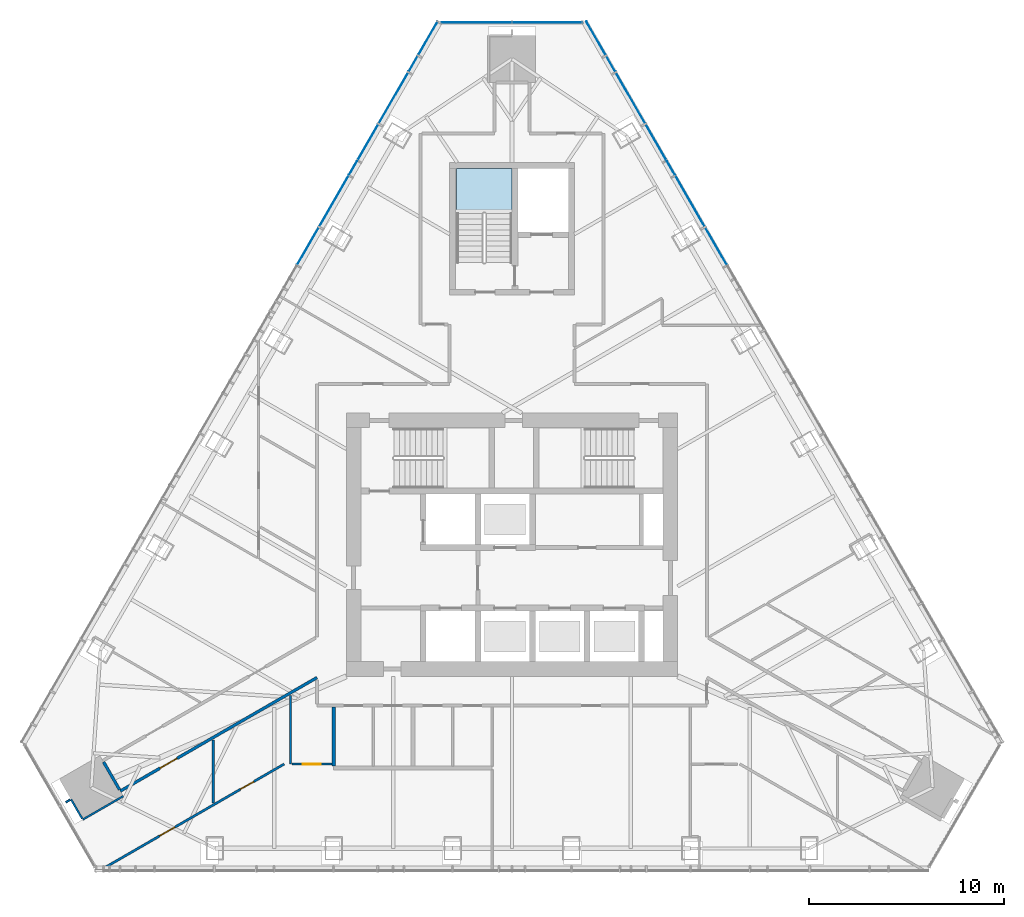
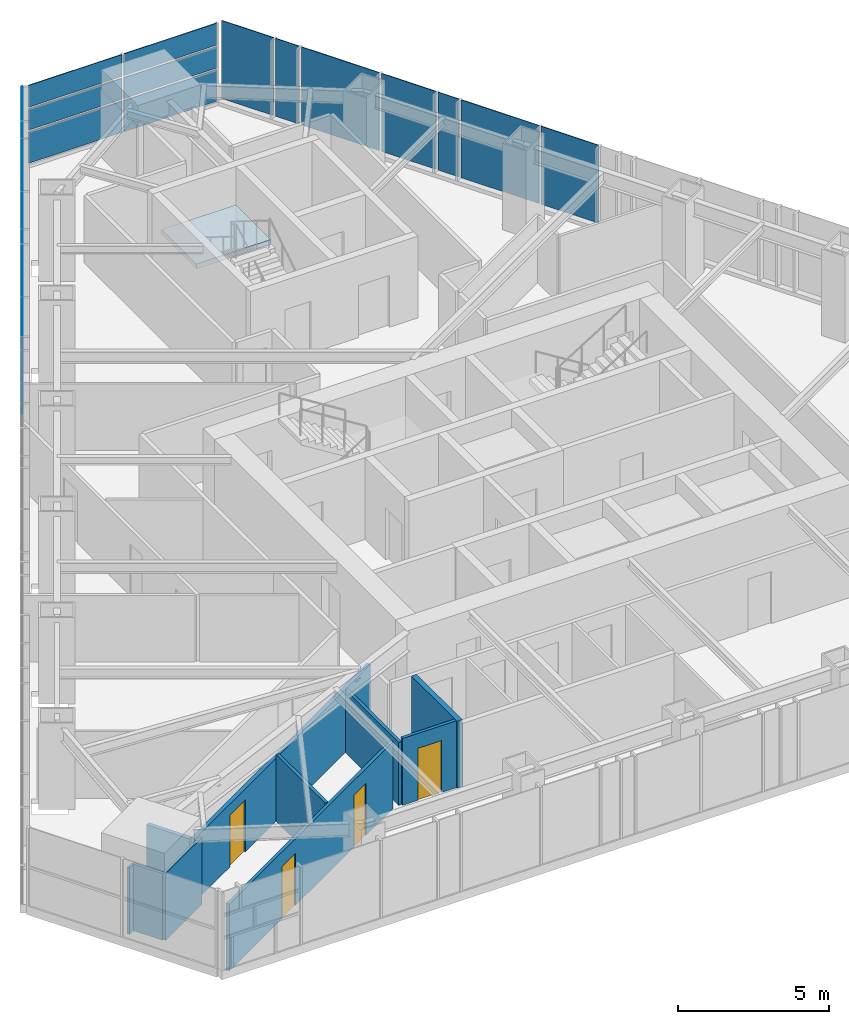
# One storey, part 13 of 18: 20 plates, 10 walls, 4 doors, 1 slab, 4 openings, 4 elements without a shape of their own.
"""IFC4 building model written with IfcOpenShell, lengths in metres."""

from ifc_helpers import new_model, si_unit, direction, frame, frame_2d, origin, place, context, subcontext, project, spatial, polyline, rectangle, outline, extrude, material, layer, layer_set, type_object, element, fill, aggregate, save


model = new_model("IFC4")

# Units and contexts
model_context = context("Model", 3, precision=1e-05, world=origin(), true_north=direction((0.0, 1.0)))
body_context = subcontext(model_context, "Body", "Model", "MODEL_VIEW")
ifc_project = project(units=[si_unit("LENGTHUNIT", "METRE"), si_unit("AREAUNIT", "SQUARE_METRE"), si_unit("VOLUMEUNIT", "CUBIC_METRE"), si_unit("PLANEANGLEUNIT", "RADIAN"), si_unit("MASSUNIT", "GRAM", prefix="KILO")], contexts=[model_context])

# Site, building, storey
site_placement = place(None, origin())
site = spatial("IfcSite", under=ifc_project, at=site_placement, CompositionType="ELEMENT")
building_placement = place(site_placement, origin())
building = spatial("IfcBuilding", under=site, at=building_placement, Name="Firuza Gate Tower and Library", CompositionType="ELEMENT")
storey_placement = place(building_placement, frame((0.0, 0.0, 298.60009765625)))
storey = spatial("IfcBuildingStorey", under=building, at=storey_placement, Name="L72", CompositionType="ELEMENT", Elevation=298.60009765625)

# Curtain wall, plates
ifc_material_1 = material(Name="Aluminium 6063-T6", Category="aluminium")
ifc_layer_1 = layer(ifc_material_1, 0.14990234375)
ifc_layer_set_1 = layer_set([ifc_layer_1], Name="Corner curtain wall, chamfers")
curtain_wall_type_1 = type_object("IfcCurtainWallType", Name="Corner curtain wall, chamfers", PredefinedType="NOTDEFINED", material=ifc_layer_set_1)
placement = place(storey_placement, origin())
curtain_wall_1 = element("IfcCurtainWall", 1, at=placement, inside=storey, type_object=curtain_wall_type_1, Name="CW4 L72 N corner", PredefinedType="NOTDEFINED")
ifc_material_2 = material(Name="Fritted glass", Category="glass")
ifc_layer_2 = layer(ifc_material_2, 0.030029296875)
ifc_layer_set_2 = layer_set([ifc_layer_2], Name="Fritted glass unit, corners")
plate_type_1 = type_object("IfcPlateType", Name="Fritted glass unit, corners", PredefinedType="CURTAIN_PANEL", material=ifc_layer_set_2)
plate_1_placement = place(storey_placement, frame((78.603271484375, 101.80517578125, 0.14990234375), z_axis=(0.0, 1.0, 0.0), x_axis=(-1.0, 0.0, 0.0)))
plate_1 = element("IfcPlate", 2, at=plate_1_placement, type_object=plate_type_1, Name="Glass unit", PredefinedType="CURTAIN_PANEL", context=body_context, shape_type="SweptSolid", body=[
    extrude(outline(polyline([(0.0, 0.0), (3.563232421875, 0.0), (3.563232421875, 1.260009765625), (0.0, 1.260009765625), (0.0, 0.0)])), origin(), (0.0, 0.0, -1.0), 0.030029296875),
])
plate_2_placement = place(storey_placement, frame((78.603271484375, 101.80517578125, 1.489990234375), z_axis=(0.0, 1.0, 0.0), x_axis=(-1.0, 0.0, 0.0)))
plate_2 = element("IfcPlate", 3, at=plate_2_placement, type_object=plate_type_1, Name="Glass unit", PredefinedType="CURTAIN_PANEL", context=body_context, shape_type="SweptSolid", body=[
    extrude(outline(polyline([(0.0, 0.0), (3.563232421875, 0.0), (3.563232421875, 0.844970703125), (0.0, 0.844970703125), (0.0, 0.0)])), origin(), (0.0, 0.0, -1.0), 0.030029296875),
])
plate_3_placement = place(storey_placement, frame((74.9599609375, 101.80517578125, 0.14990234375), z_axis=(0.0, 1.0, 0.0), x_axis=(-1.0, 0.0, 0.0)))
plate_3 = element("IfcPlate", 4, at=plate_3_placement, type_object=plate_type_1, Name="Glass unit", PredefinedType="CURTAIN_PANEL", context=body_context, shape_type="SweptSolid", body=[
    extrude(outline(polyline([(0.0, 0.0), (3.563232421875, 0.0), (3.563232421875, 1.260009765625), (0.0, 1.260009765625), (0.0, 0.0)])), origin(), (0.0, 0.0, -1.0), 0.030029296875),
])
plate_4_placement = place(storey_placement, frame((74.9599609375, 101.80517578125, 1.489990234375), z_axis=(0.0, 1.0, 0.0), x_axis=(-1.0, 0.0, 0.0)))
plate_4 = element("IfcPlate", 5, at=plate_4_placement, type_object=plate_type_1, Name="Glass unit", PredefinedType="CURTAIN_PANEL", context=body_context, shape_type="SweptSolid", body=[
    extrude(outline(polyline([(0.0, 0.0), (3.563232421875, 0.0), (3.563232421875, 0.844970703125), (0.0, 0.844970703125), (0.0, 0.0)])), origin(), (0.0, 0.0, -1.0), 0.030029296875),
])

ifc_material_3 = material(Name="Aluminium 6063-T6", Category="aluminium")
ifc_layer_3 = layer(ifc_material_3, 0.14990234375)
ifc_layer_set_3 = layer_set([ifc_layer_3], Name="Unitised curtain wall, residences")
curtain_wall_type_2 = type_object("IfcCurtainWallType", Name="Unitised curtain wall, residences", PredefinedType="NOTDEFINED", material=ifc_layer_set_3)
curtain_wall_2 = element("IfcCurtainWall", 6, at=placement, inside=storey, type_object=curtain_wall_type_2, Name="CW3 L72 E face", PredefinedType="NOTDEFINED")
ifc_material_4 = material(Name="Fritted glass", Category="glass")
ifc_layer_4 = layer(ifc_material_4, 0.030029296875)
ifc_layer_set_4 = layer_set([ifc_layer_4], Name="Fritted glass unit, residences")
plate_type_2 = type_object("IfcPlateType", Name="Fritted glass unit, residences", PredefinedType="CURTAIN_PANEL", material=ifc_layer_set_4)
plate_5_placement = place(storey_placement, frame((83.36474609375, 93.982177734375, 0.14990234375), z_axis=(0.866119736943, 0.499836574569, 0.0), x_axis=(-0.499836574569, 0.866119736943, 0.0)))
plate_5 = element("IfcPlate", 7, at=plate_5_placement, type_object=plate_type_2, Name="Glass unit", PredefinedType="CURTAIN_PANEL", context=body_context, shape_type="SweptSolid", body=[
    extrude(outline(polyline([(0.0, 0.0), (0.802508394310326, 0.0), (0.802508394310326, 3.14990234375), (0.0, 3.14990234375), (0.0, 0.0)])), origin(), (0.0, 0.0, -1.0), 0.030029296875),
])
plate_6_placement = place(storey_placement, frame((80.310546875, 99.272216796875, 0.14990234375), z_axis=(0.866082545016, 0.499901015421, 0.0), x_axis=(-0.499901015421, 0.866082545016, 0.0)))
plate_6 = element("IfcPlate", 8, at=plate_6_placement, type_object=plate_type_2, Name="Glass unit", PredefinedType="CURTAIN_PANEL", context=body_context, shape_type="SweptSolid", body=[
    extrude(outline(polyline([(0.0, 0.0), (0.9074062009419173, 0.0), (0.9074062009419173, 3.14990234375), (0.0, 3.14990234375), (0.0, 0.0)])), origin(), (0.0, 0.0, -1.0), 0.030029296875),
])

curtain_wall_3 = element("IfcCurtainWall", 9, at=placement, inside=storey, type_object=curtain_wall_type_2, Name="CW3 L72 W face", PredefinedType="NOTDEFINED")
plate_7_placement = place(storey_placement, frame((70.14306640625, 100.05810546875, 0.14990234375), z_axis=(-0.866082545016, 0.499901015421, 0.0), x_axis=(-0.499901015421, -0.866082545016, 0.0)))
plate_7 = element("IfcPlate", 10, at=plate_7_placement, type_object=plate_type_2, Name="Glass unit", PredefinedType="CURTAIN_PANEL", context=body_context, shape_type="SweptSolid", body=[
    extrude(outline(polyline([(0.0, 0.0), (0.9074062009419173, 0.0), (0.9074062009419173, 3.14990234375), (0.0, 3.14990234375), (0.0, 0.0)])), origin(), (0.0, 0.0, -1.0), 0.030029296875),
])
plate_8_placement = place(storey_placement, frame((67.036376953125, 94.67724609375, 0.14990234375), z_axis=(-0.866119736943, 0.499836574569, 0.0), x_axis=(-0.499836574569, -0.866119736943, 0.0)))
plate_8 = element("IfcPlate", 11, at=plate_8_placement, type_object=plate_type_2, Name="Glass unit", PredefinedType="CURTAIN_PANEL", context=body_context, shape_type="SweptSolid", body=[
    extrude(outline(polyline([(0.0, 0.0), (0.802508394310326, 0.0), (0.802508394310326, 3.14990234375), (0.0, 3.14990234375), (0.0, 0.0)])), origin(), (0.0, 0.0, -1.0), 0.030029296875),
])

# Plate
ifc_material_5 = material(Name="Glazed ceramic tile")
ifc_layer_5 = layer(ifc_material_5, 0.030029296875)
ifc_layer_set_5 = layer_set([ifc_layer_5], Name="Opaque ceramic panel, corners")
plate_type_3 = type_object("IfcPlateType", Name="Opaque ceramic panel, corners", PredefinedType="CURTAIN_PANEL", material=ifc_layer_set_5)
plate_9_placement = place(storey_placement, frame((78.603271484375, 101.80517578125, 2.414794921875), z_axis=(0.0, 1.0, 0.0), x_axis=(-1.0, 0.0, 0.0)))
plate_9 = element("IfcPlate", 12, at=plate_9_placement, type_object=plate_type_3, Name="Opaque ceramic panel", PredefinedType="CURTAIN_PANEL", context=body_context, shape_type="SweptSolid", body=[
    extrude(outline(polyline([(0.0, 0.0), (3.563232421875, 0.0), (3.563232421875, 0.885009765625), (0.0, 0.885009765625), (0.0, 0.0)])), origin(), (0.0, 0.0, -1.0), 0.030029296875),
])

plate_10_placement = place(storey_placement, frame((74.9599609375, 101.80517578125, 2.414794921875), z_axis=(0.0, 1.0, 0.0), x_axis=(-1.0, 0.0, 0.0)))
plate_10 = element("IfcPlate", 13, at=plate_10_placement, type_object=plate_type_3, Name="Opaque ceramic panel", PredefinedType="CURTAIN_PANEL", context=body_context, shape_type="SweptSolid", body=[
    extrude(outline(polyline([(0.0, 0.0), (3.563232421875, 0.0), (3.563232421875, 0.885009765625), (0.0, 0.885009765625), (0.0, 0.0)])), origin(), (0.0, 0.0, -1.0), 0.030029296875),
])

aggregate(curtain_wall_1, [plate_1, plate_2, plate_9, plate_3, plate_4, plate_10])

ifc_material_6 = material(Name="Glazed ceramic tile")
ifc_layer_6 = layer(ifc_material_6, 0.030029296875)
ifc_layer_set_6 = layer_set([ifc_layer_6], Name="Opaque ceramic panel, residences")
plate_type_4 = type_object("IfcPlateType", Name="Opaque ceramic panel, residences", PredefinedType="CURTAIN_PANEL", material=ifc_layer_set_6)
plate_11_placement = place(storey_placement, frame((86.0302734375, 89.36572265625, 0.14990234375), z_axis=(0.86601160575, 0.500023898135, 0.0), x_axis=(-0.500023898135, 0.86601160575, 0.0)))
plate_11 = element("IfcPlate", 14, at=plate_11_placement, type_object=plate_type_4, Name="Opaque ceramic panel", PredefinedType="CURTAIN_PANEL", context=body_context, shape_type="SweptSolid", body=[
    extrude(outline(polyline([(0.0, 0.0), (2.1966723510044437, 0.0), (2.1966723510044437, 3.14990234375), (0.0, 3.14990234375), (0.0, 0.0)])), origin(), (0.0, 0.0, -1.0), 0.030029296875),
])

plate_12_placement = place(storey_placement, frame((84.891845703125, 91.33740234375, 0.14990234375), z_axis=(0.866027015393, 0.499997208602, 0.0), x_axis=(-0.499997208602, 0.866027015393, 0.0)))
plate_12 = element("IfcPlate", 15, at=plate_12_placement, type_object=plate_type_4, Name="Opaque ceramic panel", PredefinedType="CURTAIN_PANEL", context=body_context, shape_type="SweptSolid", body=[
    extrude(outline(polyline([(0.0, 0.0), (2.9741376977512473, 0.0), (2.9741376977512473, 3.14990234375), (0.0, 3.14990234375), (0.0, 0.0)])), origin(), (0.0, 0.0, -1.0), 0.030029296875),
])

plate_13_placement = place(storey_placement, frame((82.923583984375, 94.74658203125, 0.14990234375), z_axis=(0.866022320763, 0.500005339912, 0.0), x_axis=(-0.500005339912, 0.866022320763, 0.0)))
plate_13 = element("IfcPlate", 16, at=plate_13_placement, type_object=plate_type_4, Name="Opaque ceramic panel", PredefinedType="CURTAIN_PANEL", context=body_context, shape_type="SweptSolid", body=[
    extrude(outline(polyline([(0.0, 0.0), (2.0917745352156762, 0.0), (2.0917745352156762, 3.14990234375), (0.0, 3.14990234375), (0.0, 0.0)])), origin(), (0.0, 0.0, -1.0), 0.030029296875),
])

plate_14_placement = place(storey_placement, frame((81.837646484375, 96.627197265625, 0.14990234375), z_axis=(0.866047534942, 0.499961665751, 0.0), x_axis=(-0.499961665751, 0.866047534942, 0.0)))
plate_14 = element("IfcPlate", 17, at=plate_14_placement, type_object=plate_type_4, Name="Opaque ceramic panel", PredefinedType="CURTAIN_PANEL", context=body_context, shape_type="SweptSolid", body=[
    extrude(outline(polyline([(0.0, 0.0), (2.974349132632969, 0.0), (2.974349132632969, 3.1499023437499996), (0.0, 3.1499023437499996), (0.0, 0.0)])), origin(), (0.0, 0.0, -1.0), 0.030029296875),
])

plate_15_placement = place(storey_placement, frame((79.81689453125, 100.12744140625, 0.14990234375), z_axis=(0.866003444533, 0.50003803261, 0.0), x_axis=(-0.50003803261, 0.866003444533, 0.0)))
plate_15 = element("IfcPlate", 18, at=plate_15_placement, type_object=plate_type_4, Name="Opaque ceramic panel", PredefinedType="CURTAIN_PANEL", context=body_context, shape_type="SweptSolid", body=[
    extrude(outline(polyline([(0.0, 0.0), (1.9866652901162536, 0.0), (1.9866652901162536, 3.14990234375), (0.0, 3.14990234375), (0.0, 0.0)])), origin(), (0.0, 0.0, -1.0), 0.030029296875),
])

aggregate(curtain_wall_2, [plate_11, plate_12, plate_5, plate_13, plate_14, plate_6, plate_15])

plate_16_placement = place(storey_placement, frame((71.176513671875, 101.847900390625, 0.14990234375), z_axis=(-0.866003444533, 0.50003803261, 0.0), x_axis=(-0.50003803261, -0.866003444533, 0.0)))
plate_16 = element("IfcPlate", 19, at=plate_16_placement, type_object=plate_type_4, Name="Opaque ceramic panel", PredefinedType="CURTAIN_PANEL", context=body_context, shape_type="SweptSolid", body=[
    extrude(outline(polyline([(0.0, 0.0), (1.9866652901162536, 0.0), (1.9866652901162536, 3.14990234375), (0.0, 3.14990234375), (0.0, 0.0)])), origin(), (0.0, 0.0, -1.0), 0.030029296875),
])

plate_17_placement = place(storey_placement, frame((69.6494140625, 99.203125, 0.14990234375), z_axis=(-0.866047534942, 0.499961665751, 0.0), x_axis=(-0.499961665751, -0.866047534942, 0.0)))
plate_17 = element("IfcPlate", 20, at=plate_17_placement, type_object=plate_type_4, Name="Opaque ceramic panel", PredefinedType="CURTAIN_PANEL", context=body_context, shape_type="SweptSolid", body=[
    extrude(outline(polyline([(0.0, 0.0), (2.974349132632969, 0.0), (2.974349132632969, 3.1499023437499996), (0.0, 3.1499023437499996), (0.0, 0.0)])), origin(), (0.0, 0.0, -1.0), 0.030029296875),
])

plate_18_placement = place(storey_placement, frame((68.122314453125, 96.55810546875, 0.14990234375), z_axis=(-0.866022320763, 0.500005339912, 0.0), x_axis=(-0.500005339912, -0.866022320763, 0.0)))
plate_18 = element("IfcPlate", 21, at=plate_18_placement, type_object=plate_type_4, Name="Opaque ceramic panel", PredefinedType="CURTAIN_PANEL", context=body_context, shape_type="SweptSolid", body=[
    extrude(outline(polyline([(0.0, 0.0), (2.0917745352156762, 0.0), (2.0917745352156762, 3.14990234375), (0.0, 3.14990234375), (0.0, 0.0)])), origin(), (0.0, 0.0, -1.0), 0.030029296875),
])

plate_19_placement = place(storey_placement, frame((66.59521484375, 93.9130859375, 0.14990234375), z_axis=(-0.866027015393, 0.499997208602, 0.0), x_axis=(-0.499997208602, -0.866027015393, 0.0)))
plate_19 = element("IfcPlate", 22, at=plate_19_placement, type_object=plate_type_4, Name="Opaque ceramic panel", PredefinedType="CURTAIN_PANEL", context=body_context, shape_type="SweptSolid", body=[
    extrude(outline(polyline([(0.0, 0.0), (2.9741376977512473, 0.0), (2.9741376977512473, 3.14990234375), (0.0, 3.14990234375), (0.0, 0.0)])), origin(), (0.0, 0.0, -1.0), 0.030029296875),
])

plate_20_placement = place(storey_placement, frame((65.068115234375, 91.26806640625, 0.14990234375), z_axis=(-0.86601160575, 0.500023898135, 0.0), x_axis=(-0.500023898135, -0.86601160575, 0.0)))
plate_20 = element("IfcPlate", 23, at=plate_20_placement, type_object=plate_type_4, Name="Opaque ceramic panel", PredefinedType="CURTAIN_PANEL", context=body_context, shape_type="SweptSolid", body=[
    extrude(outline(polyline([(0.0, 0.0), (2.1966723510044437, 0.0), (2.1966723510044437, 3.14990234375), (0.0, 3.14990234375), (0.0, 0.0)])), origin(), (0.0, 0.0, -1.0), 0.030029296875),
])

aggregate(curtain_wall_3, [plate_16, plate_7, plate_17, plate_18, plate_8, plate_19, plate_20])

# Stair, slab
ifc_material_7 = material(Name="Concrete C35/45", Category="concrete")
stair_type = type_object("IfcStairType", Name="Exit stair ST17", PredefinedType="HALF_TURN_STAIR", material=ifc_material_7)
stair = element("IfcStair", 24, at=placement, inside=storey, type_object=stair_type, Name="L72 Stair ST3", PredefinedType="HALF_TURN_STAIR")
ifc_material_8 = material(Name="Concrete C35/45", Category="concrete")
ifc_layer_7 = layer(ifc_material_8, 0.199951171875)
ifc_layer_set_7 = layer_set([ifc_layer_7], Name="Stair landing 200")
slab_type = type_object("IfcSlabType", Name="Stair landing 200", PredefinedType="LANDING", material=ifc_layer_set_7)
slab_placement = place(storey_placement, frame((0.0, 0.0, 1.5498046875)))
slab = element("IfcSlab", 25, at=slab_placement, type_object=slab_type, Name="ST3 landing 1", PredefinedType="LANDING", context=body_context, shape_type="SweptSolid", body=[
    extrude(outline(polyline([(75.0, 91.989990234375), (75.0, 94.300048828125), (72.159912109375, 94.300048828125), (72.159912109375, 91.989990234375), (75.0, 91.989990234375)])), origin(), (0.0, 0.0, 1.0), 0.2001953125),
])
aggregate(stair, [slab])

# Wall, opening, door
ifc_material_9 = material(Name="Gypsum board partition")
ifc_layer_8 = layer(ifc_material_9, 0.14990234375)
ifc_layer_set_8 = layer_set([ifc_layer_8], Name="Corridor wall 150 double board on steel studs")
wall_type_1 = type_object("IfcWallType", Name="Corridor wall 150 double board on steel studs", PredefinedType="PARTITIONING", material=ifc_layer_set_8)
wall_1_placement = place(storey_placement, frame((65.0, 68.187255859375, 0.0), z_axis=(0.0, 0.0, 1.0), x_axis=(-0.866026430432, -0.49999822179, 0.0)))
wall_1 = element("IfcWall", 26, at=wall_1_placement, inside=storey, type_object=wall_type_1, Name="f:L72:w020", PredefinedType="PARTITIONING", context=body_context, shape_type="SweptSolid", body=[
    extrude(rectangle(XDim=11.6484375, YDim=0.14990234375, at=frame_2d((5.82421875, 0.0))), origin(), (0.0, 0.0, 1.0), 2.546875),
])
opening_1_placement = place(wall_1_placement, frame((8.29638671875, 0.0, 0.0)))
opening_1 = element("IfcOpeningElement", 27, at=opening_1_placement, cuts=wall_1, Name="Opening L72-14", PredefinedType="OPENING", context=body_context, shape_type="SweptSolid", body=[
    extrude(rectangle(XDim=1.0, YDim=2.10009765625, at=frame_2d((0.5, 1.050048828125))), frame((0.0, 0.0849609375, 0.0), z_axis=(0.0, -1.0, 0.0), x_axis=(1.0, 0.0, 0.0)), (0.0, 0.0, 1.0), 0.169921875),
])
ifc_material_10 = material(Name="Steel door and timber leaf", Category="steel")
door_type_1 = type_object("IfcDoorType", Name="Fire door 1000 x 2100 steel frame, timber leaf", OperationType="NOTDEFINED", PredefinedType="DOOR", material=ifc_material_10)
door_1_placement = place(opening_1_placement, origin())
door_1 = element("IfcDoor", 28, at=door_1_placement, inside=storey, type_object=door_type_1, Name="f:L72:d014", OperationType="SINGLE_SWING_RIGHT", OverallHeight=2.10009765625, OverallWidth=1.0, PredefinedType="DOOR", context=body_context, shape_type="SweptSolid", body=[
    extrude(rectangle(XDim=1.0, YDim=2.10009765625, at=frame_2d((0.5, 1.050048828125))), frame((0.0, 0.02490234375, 0.0), z_axis=(0.0, -1.0, 0.0), x_axis=(1.0, 0.0, 0.0)), (0.0, 0.0, 1.0), 0.050048828125),
])
fill(opening_1, door_1)

# Walls
wall_2_placement = place(storey_placement, frame((54.8720703125, 62.432861328125, 0.0), z_axis=(0.0, 0.0, 1.0), x_axis=(-0.499988108725, 0.866032269107, 0.0)))
element("IfcWall", 29, at=wall_2_placement, inside=storey, type_object=wall_type_1, Name="f:L72:w053", PredefinedType="PARTITIONING", context=body_context, shape_type="SweptSolid", body=[
    extrude(rectangle(XDim=1.64404296875, YDim=0.14990234375, at=frame_2d((0.822021484375, 0.0))), origin(), (0.0, 0.0, 1.0), 2.546875),
])
ifc_material_11 = material(Name="Gypsum board partition")
ifc_layer_9 = layer(ifc_material_11, 0.199951171875)
ifc_layer_set_9 = layer_set([ifc_layer_9], Name="Demising wall 200 acoustic double stud")
wall_type_2 = type_object("IfcWallType", Name="Demising wall 200 acoustic double stud", PredefinedType="PARTITIONING", material=ifc_layer_set_9)
wall_3_placement = place(storey_placement, frame((65.85595703125, 63.64990234375, 0.0), z_axis=(0.0, 0.0, 1.0), x_axis=(0.0, 1.0, 0.0)))
element("IfcWall", 30, at=wall_3_placement, inside=storey, type_object=wall_type_2, Name="f:L72:w045", PredefinedType="PARTITIONING", context=body_context, shape_type="SweptSolid", body=[
    extrude(rectangle(XDim=3.025146484375, YDim=0.199951171875, at=frame_2d((1.5126953125, 0.0))), origin(), (0.0, 0.0, 1.0), 2.699951171875),
])
ifc_material_12 = material(Name="Gypsum board partition")
ifc_layer_10 = layer(ifc_material_12, 0.10009765625)
ifc_layer_set_10 = layer_set([ifc_layer_10], Name="Partition 100 gypsum board on steel studs")
wall_type_3 = type_object("IfcWallType", Name="Partition 100 gypsum board on steel studs", PredefinedType="PARTITIONING", material=ifc_layer_set_10)
wall_4_placement = place(storey_placement, frame((52.984130859375, 60.903564453125, 0.0), z_axis=(0.0, 0.0, 1.0), x_axis=(0.866011011868, 0.500024926702, 0.0)))
element("IfcWall", 31, at=wall_4_placement, inside=storey, type_object=wall_type_3, Name="f:L72:w019", PredefinedType="PARTITIONING", context=body_context, shape_type="SweptSolid", body=[
    extrude(rectangle(XDim=2.39892578125, YDim=0.10009765625, at=frame_2d((1.199462890625, 0.0))), origin(), (0.0, 0.0, 1.0), 2.699951171875),
])
wall_5_placement = place(storey_placement, frame((52.123779296875, 61.79248046875, 0.0), z_axis=(0.0, 0.0, 1.0), x_axis=(0.866006330792, 0.500033033937, 0.0)))
element("IfcWall", 32, at=wall_5_placement, inside=storey, type_object=wall_type_3, Name="f:L72:w021", PredefinedType="PARTITIONING", context=body_context, shape_type="SweptSolid", body=[
    extrude(rectangle(XDim=0.24951171875, YDim=0.10009765625, at=frame_2d((0.124755859375, 0.0))), origin(), (0.0, 0.0, 1.0), 2.699951171875),
])
wall_6_placement = place(storey_placement, frame((52.95849609375, 60.947021484375, 0.0), z_axis=(0.0, 0.0, 1.0), x_axis=(-0.499955427682, 0.866051136095, 0.0)))
element("IfcWall", 33, at=wall_6_placement, inside=storey, type_object=wall_type_3, Name="f:L72:w054", PredefinedType="PARTITIONING", context=body_context, shape_type="SweptSolid", body=[
    extrude(rectangle(XDim=1.14892578125, YDim=0.10009765625, at=frame_2d((0.574462890625, 0.0))), origin(), (0.0, 0.0, 1.0), 2.699951171875),
])

# Wall, opening, door
ifc_material_13 = material(Name="Gypsum board partition")
ifc_layer_11 = layer(ifc_material_13, 0.1201171875)
ifc_layer_set_11 = layer_set([ifc_layer_11], Name="Wet-area partition 120 moisture-resistant board")
wall_type_4 = type_object("IfcWallType", Name="Wet-area partition 120 moisture-resistant board", PredefinedType="PARTITIONING", material=ifc_layer_set_11)
wall_7_placement = place(storey_placement, frame((63.704345703125, 63.75, 0.0), z_axis=(0.0, 0.0, 1.0), x_axis=(1.0, 0.0, 0.0)))
wall_7 = element("IfcWall", 34, at=wall_7_placement, inside=storey, type_object=wall_type_4, Name="f:L72:w002", PredefinedType="PARTITIONING", context=body_context, shape_type="SweptSolid", body=[
    extrude(rectangle(XDim=2.0517578125, YDim=0.1201171875, at=frame_2d((1.02587890625, 0.0))), origin(), (0.0, 0.0, 1.0), 2.699951171875),
])
opening_2_placement = place(wall_7_placement, frame((0.57568359375, 0.0, 0.0)))
opening_2 = element("IfcOpeningElement", 35, at=opening_2_placement, cuts=wall_7, Name="Opening L72-01", PredefinedType="OPENING", context=body_context, shape_type="SweptSolid", body=[
    extrude(rectangle(XDim=0.89990234375, YDim=2.10009765625, at=frame_2d((0.449951171875, 1.050048828125))), frame((0.0, 0.070068359375, 0.0), z_axis=(0.0, -1.0, 0.0), x_axis=(1.0, 0.0, 0.0)), (0.0, 0.0, 1.0), 0.14013671875),
])
ifc_material_14 = material(Name="Timber door", Category="wood")
door_type_2 = type_object("IfcDoorType", Name="Door 900 x 2100 timber leaf", OperationType="NOTDEFINED", PredefinedType="DOOR", material=ifc_material_14)
door_2_placement = place(opening_2_placement, origin())
door_2 = element("IfcDoor", 36, at=door_2_placement, inside=storey, type_object=door_type_2, Name="f:L72:d001", OperationType="SINGLE_SWING_LEFT", OverallHeight=2.10009765625, OverallWidth=0.89990234375, PredefinedType="DOOR", context=body_context, shape_type="SweptSolid", body=[
    extrude(rectangle(XDim=0.89990234375, YDim=2.10009765625, at=frame_2d((0.449951171875, 1.050048828125))), frame((0.0, 0.02490234375, 0.0), z_axis=(0.0, -1.0, 0.0), x_axis=(1.0, 0.0, 0.0)), (0.0, 0.0, 1.0), 0.050048828125),
])
fill(opening_2, door_2)

# Wall, openings, doors
wall_8_placement = place(storey_placement, frame((53.91748046875, 58.32470703125, 0.0), z_axis=(0.0, 0.0, 1.0), x_axis=(0.8660274679, 0.499996424829, 0.0)))
wall_8 = element("IfcWall", 37, at=wall_8_placement, inside=storey, type_object=wall_type_4, Name="f:L72:w018", PredefinedType="PARTITIONING", context=body_context, shape_type="SweptSolid", body=[
    extrude(rectangle(XDim=10.8505859375, YDim=0.1201171875, at=frame_2d((5.42529296875, 0.0))), origin(), (0.0, 0.0, 1.0), 2.699951171875),
])
opening_3_placement = place(wall_8_placement, frame((3.476806640625, 0.0, 0.0)))
opening_3 = element("IfcOpeningElement", 38, at=opening_3_placement, cuts=wall_8, Name="Opening L72-12", PredefinedType="OPENING", context=body_context, shape_type="SweptSolid", body=[
    extrude(rectangle(XDim=0.89990234375, YDim=2.10009765625, at=frame_2d((0.449951171875, 1.050048828125))), frame((0.0, 0.070068359375, 0.0), z_axis=(0.0, -1.0, 0.0), x_axis=(1.0, 0.0, 0.0)), (0.0, 0.0, 1.0), 0.14013671875),
])
opening_4_placement = place(wall_8_placement, frame((8.250244140625, 0.0, 0.0)))
opening_4 = element("IfcOpeningElement", 39, at=opening_4_placement, cuts=wall_8, Name="Opening L72-13", PredefinedType="OPENING", context=body_context, shape_type="SweptSolid", body=[
    extrude(rectangle(XDim=0.800048828125, YDim=2.10009765625, at=frame_2d((0.39990234375, 1.050048828125))), frame((0.0, 0.070068359375, 0.0), z_axis=(0.0, -1.0, 0.0), x_axis=(1.0, 0.0, 0.0)), (0.0, 0.0, 1.0), 0.14013671875),
])
ifc_material_15 = material(Name="Timber door", Category="wood")
door_type_3 = type_object("IfcDoorType", Name="Door 800 x 2100 timber leaf", OperationType="NOTDEFINED", PredefinedType="DOOR", material=ifc_material_15)
door_3_placement = place(opening_4_placement, origin())
door_3 = element("IfcDoor", 40, at=door_3_placement, inside=storey, type_object=door_type_3, Name="f:L72:d013", OperationType="SINGLE_SWING_RIGHT", OverallHeight=2.10009765625, OverallWidth=0.800048828125, PredefinedType="DOOR", context=body_context, shape_type="SweptSolid", body=[
    extrude(rectangle(XDim=0.800048828125, YDim=2.10009765625, at=frame_2d((0.39990234375, 1.050048828125))), frame((0.0, 0.02490234375, 0.0), z_axis=(0.0, -1.0, 0.0), x_axis=(1.0, 0.0, 0.0)), (0.0, 0.0, 1.0), 0.050048828125),
])
fill(opening_4, door_3)
door_4_placement = place(opening_3_placement, origin())
door_4 = element("IfcDoor", 41, at=door_4_placement, inside=storey, type_object=door_type_2, Name="f:L72:d012", OperationType="SINGLE_SWING_RIGHT", OverallHeight=2.10009765625, OverallWidth=0.89990234375, PredefinedType="DOOR", context=body_context, shape_type="SweptSolid", body=[
    extrude(rectangle(XDim=0.89990234375, YDim=2.10009765625, at=frame_2d((0.449951171875, 1.050048828125))), frame((0.0, 0.02490234375, 0.0), z_axis=(0.0, -1.0, 0.0), x_axis=(1.0, 0.0, 0.0)), (0.0, 0.0, 1.0), 0.050048828125),
])
fill(opening_3, door_4)

# Walls
wall_9_placement = place(storey_placement, frame((63.639892578125, 63.75, 0.0), z_axis=(0.0, 0.0, 1.0), x_axis=(0.0, 1.0, 0.0)))
element("IfcWall", 42, at=wall_9_placement, inside=storey, type_object=wall_type_4, Name="f:L72:w048", PredefinedType="PARTITIONING", context=body_context, shape_type="SweptSolid", body=[
    extrude(rectangle(XDim=3.525390625, YDim=0.1201171875, at=frame_2d((1.7626953125, 0.0))), origin(), (0.0, 0.0, 1.0), 2.546875),
])
wall_10_placement = place(storey_placement, frame((59.677001953125, 61.759033203125, 0.0), z_axis=(0.0, 0.0, 1.0), x_axis=(0.0, 1.0, 0.0)))
element("IfcWall", 43, at=wall_10_placement, inside=storey, type_object=wall_type_4, Name="f:L72:w050", PredefinedType="PARTITIONING", context=body_context, shape_type="SweptSolid", body=[
    extrude(rectangle(XDim=3.22802734375, YDim=0.1201171875, at=frame_2d((1.614013671875, 0.0))), origin(), (0.0, 0.0, 1.0), 2.699951171875),
])

save(model, "model.ifc")
